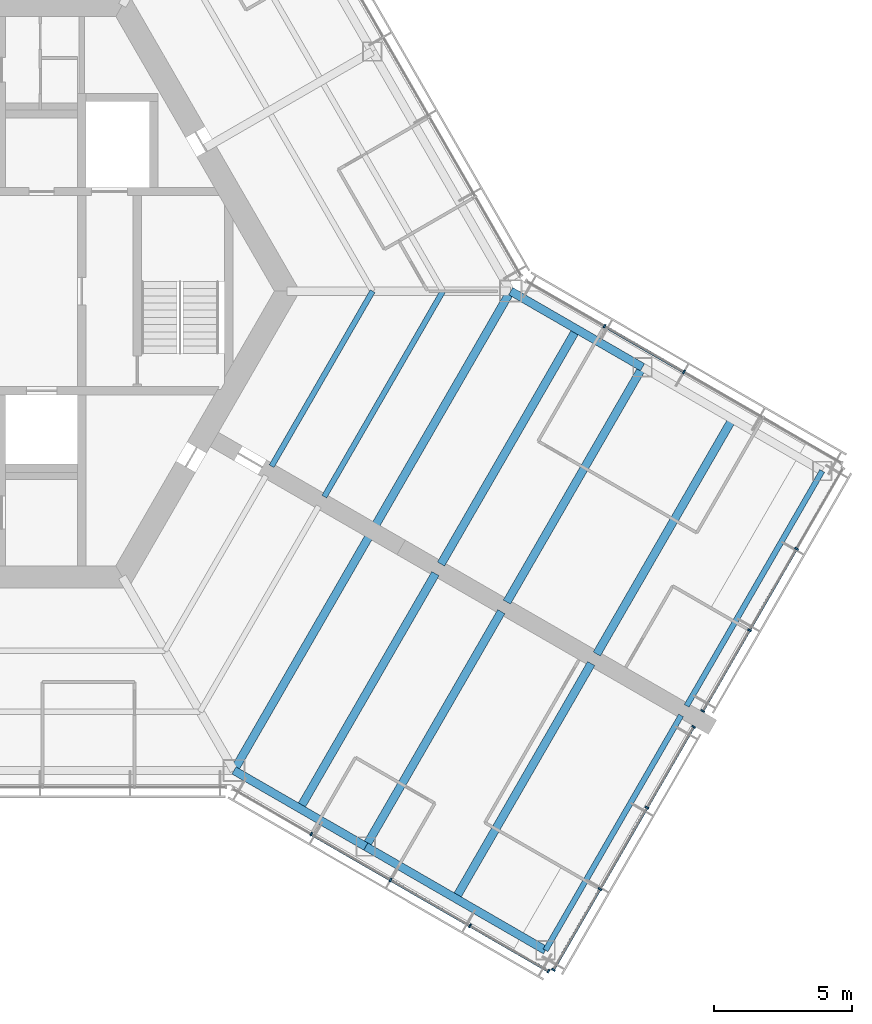
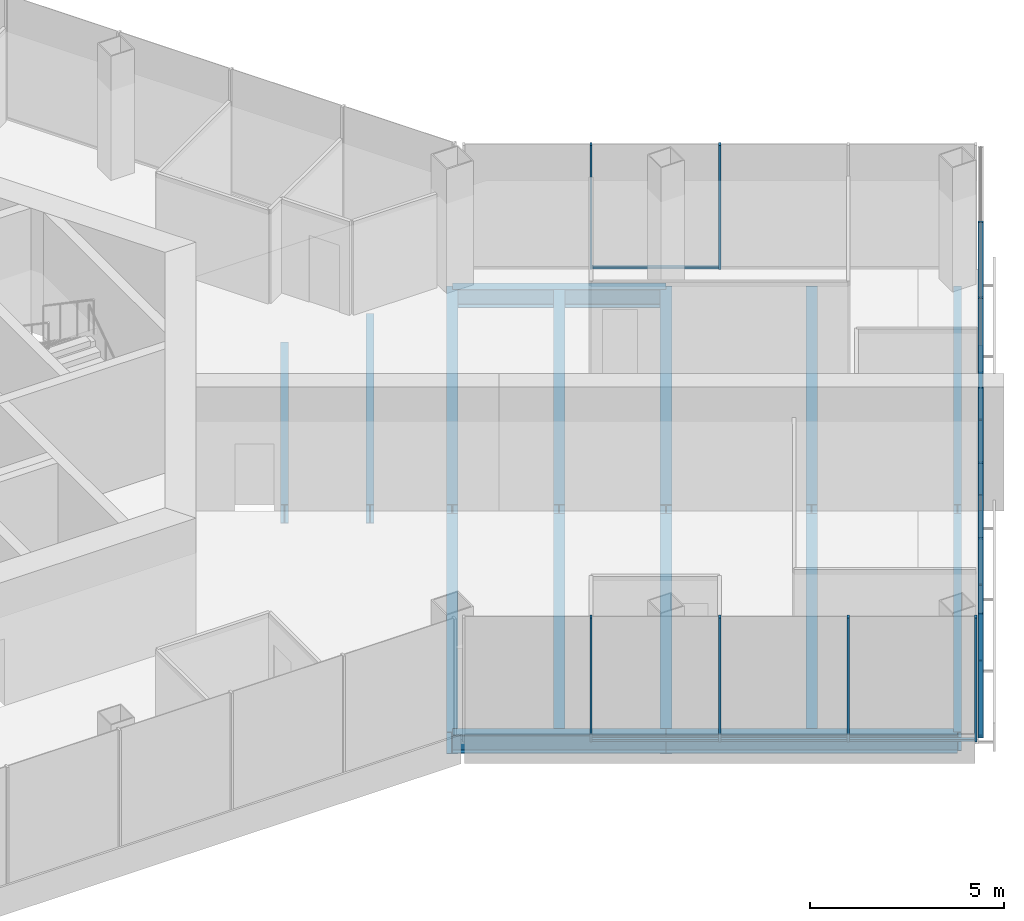
# One storey, part 4 of 16: 22 members, 15 beams, 4 elements without a shape of their own.
"""IFC4 building model written with IfcOpenShell, lengths in metres."""

from ifc_helpers import new_model, si_unit, direction, frame, origin, origin_2d, place, context, subcontext, project, spatial, rectangle, i_section, extrude, material, material_profile, profile_set, type_object, element, aggregate, save


model = new_model("IFC4")

# Units and contexts
model_context = context("Model", 3, precision=1e-05, world=origin(), true_north=direction((0.0, 1.0)))
body_context = subcontext(model_context, "Body", "Model", "MODEL_VIEW")
ifc_project = project(units=[si_unit("LENGTHUNIT", "METRE"), si_unit("AREAUNIT", "SQUARE_METRE"), si_unit("VOLUMEUNIT", "CUBIC_METRE"), si_unit("PLANEANGLEUNIT", "RADIAN"), si_unit("MASSUNIT", "GRAM", prefix="KILO")], contexts=[model_context])

# Site, building, storey
site_placement = place(None, origin())
site = spatial("IfcSite", under=ifc_project, at=site_placement, CompositionType="ELEMENT")
building_placement = place(site_placement, origin())
building = spatial("IfcBuilding", under=site, at=building_placement, Name="Kasaneha Research Tower", CompositionType="ELEMENT")
storey_placement = place(building_placement, frame((0.0, 0.0, 255.699951171875)))
storey = spatial("IfcBuildingStorey", under=building, at=storey_placement, Name="L64", CompositionType="ELEMENT", Elevation=255.699951171875)

# Beams
ifc_material_1 = material(Name="Steel SN490B", Category="steel")
ifc_material_profile_1 = material_profile(ifc_material_1, i_section(OverallWidth=0.199951171875, OverallDepth=0.60009765625, WebThickness=0.010986328125, FlangeThickness=0.01708984375, FilletRadius=0.012939453125, at=origin_2d()), Name="H-600x200x11x17")
ifc_profile_set_1 = profile_set([ifc_material_profile_1], Name="Steel SN490B")
beam_type_1 = type_object("IfcBeamType", Name="B1-3 secondary beam H-600x200x11x17", PredefinedType="JOIST", material=ifc_profile_set_1)
beam_1_placement = place(storey_placement, frame((15.010986328125, 0.0, -0.449951171875), z_axis=(-0.499974128195, -0.866040340363, 0.0), x_axis=(0.866040340363, -0.499974128195, 0.0)))
element("IfcBeam", 1, at=beam_1_placement, inside=storey, type_object=beam_type_1, Name="Secondary beam RS330R1 L64", PredefinedType="JOIST", context=body_context, shape_type="SweptSolid", body=[
    extrude(i_section(OverallWidth=0.199951171875, OverallDepth=0.60009765625, WebThickness=0.010986328125, FlangeThickness=0.01708984375, FilletRadius=0.012939453125, at=origin_2d()), origin(), (0.0, 0.0, 1.0), 7.3056640625),
])
beam_2_placement = place(storey_placement, frame((17.551513671875, 0.0, -0.449951171875), z_axis=(-0.500000102728, -0.866025344474, 0.0), x_axis=(0.866025344474, -0.500000102728, 0.0)))
element("IfcBeam", 2, at=beam_2_placement, inside=storey, type_object=beam_type_1, Name="Secondary beam RS330R2 L64", PredefinedType="JOIST", context=body_context, shape_type="SweptSolid", body=[
    extrude(i_section(OverallWidth=0.199951171875, OverallDepth=0.60009765625, WebThickness=0.010986328125, FlangeThickness=0.01708984375, FilletRadius=0.012939453125, at=origin_2d()), origin(), (0.0, 0.0, 1.0), 8.57568359375),
])
ifc_material_2 = material(Name="Steel SN490B", Category="steel")
ifc_material_profile_2 = material_profile(ifc_material_2, i_section(OverallWidth=0.300048828125, OverallDepth=0.58203125, WebThickness=0.011962890625, FlangeThickness=0.01708984375, FilletRadius=0.012939453125, at=origin_2d()), Name="H-582x300x12x17")
ifc_profile_set_2 = profile_set([ifc_material_profile_2], Name="Steel SN490B")
beam_type_2 = type_object("IfcBeamType", Name="B2-3 secondary beam H-582x300x12x17", PredefinedType="JOIST", material=ifc_profile_set_2)
for number, where, z_axis, x_axis, name in (
    (3, (12.381591796875, -18.695556640625, -0.44091796875), (0.49999201416, 0.866030014362, 0.0), (-0.866030014362, 0.49999201416, 0.0), "Secondary beam WBCP1 L64"),
    (4, (18.0107421875, -21.945556640625, -0.44091796875), (0.49999201416, 0.866030014362, 0.0), (-0.866030014362, 0.49999201416, 0.0), "Secondary beam WBCP2 L64"),
    (5, (22.381591796875, -1.375, -0.44091796875), (-0.49999201416, -0.866030014362, 0.0), (0.866030014362, -0.49999201416, 0.0), "Secondary beam WBCN1 L64"),
    (6, (28.0107421875, -4.625, -0.44091796875), (-0.49999201416, -0.866030014362, 0.0), (0.866030014362, -0.49999201416, 0.0), "Secondary beam WBCN2 L64"),
):
    element("IfcBeam", number, at=place(storey_placement, frame(where, z_axis=z_axis, x_axis=x_axis)), inside=storey, type_object=beam_type_2, Name=name, PredefinedType="JOIST", context=body_context, shape_type="SweptSolid", body=[
        extrude(i_section(OverallWidth=0.300048828125, OverallDepth=0.58203125, WebThickness=0.011962890625, FlangeThickness=0.01708984375, FilletRadius=0.012939453125, at=origin_2d()), origin(), (0.0, 0.0, 1.0), 9.800048828125),
    ])

# Curtain wall, members
ifc_material_3 = material(Name="Glass and aluminium", Category="aluminium")
curtain_wall_type = type_object("IfcCurtainWallType", Name="High-rise office curtain wall", PredefinedType="USERDEFINED", material=ifc_material_3)
curtain_wall_1_placement = place(storey_placement, origin())
curtain_wall_1 = element("IfcCurtainWall", 7, at=curtain_wall_1_placement, inside=storey, type_object=curtain_wall_type, Name="CW-O3 L64 run 06a", ObjectType="UNITISED CURTAIN WALL", PredefinedType="USERDEFINED")
ifc_material_4 = material(Name="Aluminium 6063-T6", Category="aluminium")
ifc_material_profile_3 = material_profile(ifc_material_4, rectangle(XDim=0.06005859375, YDim=0.139892578125, at=origin_2d()), Name="CW-O3 mullion 60x140")
ifc_profile_set_3 = profile_set([ifc_material_profile_3], Name="Aluminium 6063-T6")
member_type_1 = type_object("IfcMemberType", Name="CW-O3 mullion", PredefinedType="MULLION", material=ifc_profile_set_3)
member_1_placement = place(storey_placement, frame((12.792236328125, -19.62548828125, 0.0), z_axis=(0.0, 0.0, 1.0), x_axis=(0.866025411464, -0.499999986699, 0.0)))
member_1 = element("IfcMember", 8, at=member_1_placement, type_object=member_type_1, Name="CW-O3 mullion 2", PredefinedType="MULLION", context=body_context, shape_type="SweptSolid", body=[
    extrude(rectangle(XDim=0.06005859375, YDim=0.139892578125, at=origin_2d()), origin(), (0.0, 0.0, 1.0), 3.900146484375),
])
member_2_placement = place(storey_placement, frame((15.65869140625, -21.2802734375, 0.0), z_axis=(0.0, 0.0, 1.0), x_axis=(0.866025411464, -0.499999986699, 0.0)))
member_2 = element("IfcMember", 9, at=member_2_placement, type_object=member_type_1, Name="CW-O3 mullion 3", PredefinedType="MULLION", context=body_context, shape_type="SweptSolid", body=[
    extrude(rectangle(XDim=0.06005859375, YDim=0.139892578125, at=origin_2d()), origin(), (0.0, 0.0, 1.0), 3.900146484375),
])
member_3_placement = place(storey_placement, frame((18.52490234375, -22.935302734375, 0.0), z_axis=(0.0, 0.0, 1.0), x_axis=(0.866025411464, -0.499999986699, 0.0)))
member_3 = element("IfcMember", 10, at=member_3_placement, type_object=member_type_1, Name="CW-O3 mullion 4", PredefinedType="MULLION", context=body_context, shape_type="SweptSolid", body=[
    extrude(rectangle(XDim=0.06005859375, YDim=0.139892578125, at=origin_2d()), origin(), (0.0, 0.0, 1.0), 3.900146484375),
])
member_4_placement = place(storey_placement, frame((21.365478515625, -24.5751953125, 0.0), z_axis=(0.0, 0.0, 1.0), x_axis=(0.866025411464, -0.499999986699, 0.0)))
member_4 = element("IfcMember", 11, at=member_4_placement, type_object=member_type_1, Name="CW-O3 mullion 5", PredefinedType="MULLION", context=body_context, shape_type="SweptSolid", body=[
    extrude(rectangle(XDim=0.06005859375, YDim=0.139892578125, at=origin_2d()), origin(), (0.0, 0.0, 1.0), 3.900146484375),
])

curtain_wall_2_placement = place(storey_placement, origin())
curtain_wall_2 = element("IfcCurtainWall", 12, at=curtain_wall_2_placement, inside=storey, type_object=curtain_wall_type, Name="CW-O3 L64 run 07a", ObjectType="UNITISED CURTAIN WALL", PredefinedType="USERDEFINED")
member_5_placement = place(storey_placement, frame((21.54296875, -24.527587890625, 0.0), z_axis=(0.0, 0.0, 1.0), x_axis=(0.500000011442, 0.866025397178, 0.0)))
member_5 = element("IfcMember", 13, at=member_5_placement, type_object=member_type_1, Name="CW-O3 mullion 1", PredefinedType="MULLION", context=body_context, shape_type="SweptSolid", body=[
    extrude(rectangle(XDim=0.06005859375, YDim=0.139892578125, at=origin_2d()), origin(), (0.0, 0.0, 1.0), 3.900146484375),
])
member_6_placement = place(storey_placement, frame((23.22802734375, -21.609130859375, 0.0), z_axis=(0.0, 0.0, 1.0), x_axis=(0.500000011442, 0.866025397178, 0.0)))
member_6 = element("IfcMember", 14, at=member_6_placement, type_object=member_type_1, Name="CW-O3 mullion 2", PredefinedType="MULLION", context=body_context, shape_type="SweptSolid", body=[
    extrude(rectangle(XDim=0.06005859375, YDim=0.139892578125, at=origin_2d()), origin(), (0.0, 0.0, 1.0), 3.900146484375),
])
member_7_placement = place(storey_placement, frame((24.927978515625, -18.66455078125, 0.0), z_axis=(0.0, 0.0, 1.0), x_axis=(0.500000011442, 0.866025397178, 0.0)))
member_7 = element("IfcMember", 15, at=member_7_placement, type_object=member_type_1, Name="CW-O3 mullion 3", PredefinedType="MULLION", context=body_context, shape_type="SweptSolid", body=[
    extrude(rectangle(XDim=0.06005859375, YDim=0.139892578125, at=origin_2d()), origin(), (0.0, 0.0, 1.0), 3.900146484375),
])
member_8_placement = place(storey_placement, frame((26.613037109375, -15.74609375, 0.0), z_axis=(0.0, 0.0, 1.0), x_axis=(0.500000011442, 0.866025397178, 0.0)))
member_8 = element("IfcMember", 16, at=member_8_placement, type_object=member_type_1, Name="CW-O3 mullion 4", PredefinedType="MULLION", context=body_context, shape_type="SweptSolid", body=[
    extrude(rectangle(XDim=0.06005859375, YDim=0.139892578125, at=origin_2d()), origin(), (0.0, 0.0, 1.0), 3.900146484375),
])

curtain_wall_3_placement = place(storey_placement, origin())
curtain_wall_3 = element("IfcCurtainWall", 17, at=curtain_wall_3_placement, inside=storey, type_object=curtain_wall_type, Name="CW-O3 L64 run 08a", ObjectType="UNITISED CURTAIN WALL", PredefinedType="USERDEFINED")
member_9_placement = place(storey_placement, frame((26.94287109375, -15.174560546875, 0.0), z_axis=(0.0, 0.0, 1.0), x_axis=(0.500000011442, 0.866025397178, 0.0)))
member_9 = element("IfcMember", 18, at=member_9_placement, type_object=member_type_1, Name="CW-O3 mullion 1", PredefinedType="MULLION", context=body_context, shape_type="SweptSolid", body=[
    extrude(rectangle(XDim=0.06005859375, YDim=0.139892578125, at=origin_2d()), origin(), (0.0, 0.0, 1.0), 3.900146484375),
])
member_10_placement = place(storey_placement, frame((28.6279296875, -12.255859375, 0.0), z_axis=(0.0, 0.0, 1.0), x_axis=(0.500000011442, 0.866025397178, 0.0)))
member_10 = element("IfcMember", 19, at=member_10_placement, type_object=member_type_1, Name="CW-O3 mullion 2", PredefinedType="MULLION", context=body_context, shape_type="SweptSolid", body=[
    extrude(rectangle(XDim=0.06005859375, YDim=0.139892578125, at=origin_2d()), origin(), (0.0, 0.0, 1.0), 3.900146484375),
])
member_11_placement = place(storey_placement, frame((30.327880859375, -9.3115234375, 0.0), z_axis=(0.0, 0.0, 1.0), x_axis=(0.500000011442, 0.866025397178, 0.0)))
member_11 = element("IfcMember", 20, at=member_11_placement, type_object=member_type_1, Name="CW-O3 mullion 3", PredefinedType="MULLION", context=body_context, shape_type="SweptSolid", body=[
    extrude(rectangle(XDim=0.06005859375, YDim=0.139892578125, at=origin_2d()), origin(), (0.0, 0.0, 1.0), 3.900146484375),
])

curtain_wall_4_placement = place(storey_placement, origin())
curtain_wall_4 = element("IfcCurtainWall", 21, at=curtain_wall_4_placement, inside=storey, type_object=curtain_wall_type, Name="CW-O3 L64 run 09a", ObjectType="UNITISED CURTAIN WALL", PredefinedType="USERDEFINED")
member_12_placement = place(storey_placement, frame((26.258544921875, -2.920654296875, 0.0), z_axis=(0.0, 0.0, 1.0), x_axis=(-0.866025411464, 0.499999986699, 0.0)))
member_12 = element("IfcMember", 22, at=member_12_placement, type_object=member_type_1, Name="CW-O3 mullion 3", PredefinedType="MULLION", context=body_context, shape_type="SweptSolid", body=[
    extrude(rectangle(XDim=0.06005859375, YDim=0.139892578125, at=origin_2d()), origin(), (0.0, 0.0, 1.0), 3.900146484375),
])
member_13_placement = place(storey_placement, frame((23.39208984375, -1.265625, 0.0), z_axis=(0.0, 0.0, 1.0), x_axis=(-0.866025411464, 0.499999986699, 0.0)))
member_13 = element("IfcMember", 23, at=member_13_placement, type_object=member_type_1, Name="CW-O3 mullion 4", PredefinedType="MULLION", context=body_context, shape_type="SweptSolid", body=[
    extrude(rectangle(XDim=0.06005859375, YDim=0.139892578125, at=origin_2d()), origin(), (0.0, 0.0, 1.0), 3.900146484375),
])

# Member
ifc_material_5 = material(Name="Aluminium 6063-T6", Category="aluminium")
ifc_material_profile_4 = material_profile(ifc_material_5, rectangle(XDim=0.10009765625, YDim=0.06005859375, at=origin_2d()), Name="CW-O3 transom 100x60")
ifc_profile_set_4 = profile_set([ifc_material_profile_4], Name="Aluminium 6063-T6")
member_type_2 = type_object("IfcMemberType", Name="CW-O3 transom", PredefinedType="USERDEFINED", material=ifc_profile_set_4)
member_14_placement = place(storey_placement, frame((12.818115234375, -19.640380859375, 0.030029296875), z_axis=(0.866015446554, -0.500017246033, 0.0), x_axis=(0.500017246033, 0.866015446554, 0.0)))
member_14 = element("IfcMember", 24, at=member_14_placement, type_object=member_type_2, Name="CW-O3 transom 2", ObjectType="TRANSOM", PredefinedType="USERDEFINED", context=body_context, shape_type="SweptSolid", body=[
    extrude(rectangle(XDim=0.10009765625, YDim=0.06005859375, at=origin_2d()), origin(), (0.0, 0.0, 1.0), 3.25),
])

member_15_placement = place(storey_placement, frame((15.6845703125, -21.29541015625, 0.030029296875), z_axis=(0.86604797581, -0.499960902066, 0.0), x_axis=(0.499960902066, 0.86604797581, 0.0)))
member_15 = element("IfcMember", 25, at=member_15_placement, type_object=member_type_2, Name="CW-O3 transom 3", ObjectType="TRANSOM", PredefinedType="USERDEFINED", context=body_context, shape_type="SweptSolid", body=[
    extrude(rectangle(XDim=0.10009765625, YDim=0.06005859375, at=origin_2d()), origin(), (0.0, 0.0, 1.0), 3.249755859375),
])

member_16_placement = place(storey_placement, frame((18.551025390625, -22.9501953125, 0.030029296875), z_axis=(0.866022692473, -0.500004696101, 0.0), x_axis=(0.500004696101, 0.866022692473, 0.0)))
member_16 = element("IfcMember", 26, at=member_16_placement, type_object=member_type_2, Name="CW-O3 transom 4", ObjectType="TRANSOM", PredefinedType="USERDEFINED", context=body_context, shape_type="SweptSolid", body=[
    extrude(rectangle(XDim=0.10009765625, YDim=0.06005859375, at=origin_2d()), origin(), (0.0, 0.0, 1.0), 3.2197265625),
])

aggregate(curtain_wall_1, [member_1, member_2, member_3, member_4, member_14, member_15, member_16])

member_17_placement = place(storey_placement, frame((21.557861328125, -24.50146484375, 0.030029296875), z_axis=(0.500018282537, 0.866014848099, 0.0), x_axis=(-0.866014848099, 0.500018282537, 0.0)))
member_17 = element("IfcMember", 27, at=member_17_placement, type_object=member_type_2, Name="CW-O3 transom 1", ObjectType="TRANSOM", PredefinedType="USERDEFINED", context=body_context, shape_type="SweptSolid", body=[
    extrude(rectangle(XDim=0.10009765625, YDim=0.06005859375, at=origin_2d()), origin(), (0.0, 0.0, 1.0), 3.31005859375),
])

member_18_placement = place(storey_placement, frame((23.242919921875, -21.5830078125, 0.030029296875), z_axis=(0.499975549825, 0.866039519639, 0.0), x_axis=(-0.866039519639, 0.499975549825, 0.0)))
member_18 = element("IfcMember", 28, at=member_18_placement, type_object=member_type_2, Name="CW-O3 transom 2", ObjectType="TRANSOM", PredefinedType="USERDEFINED", context=body_context, shape_type="SweptSolid", body=[
    extrude(rectangle(XDim=0.10009765625, YDim=0.06005859375, at=origin_2d()), origin(), (0.0, 0.0, 1.0), 3.340087890625),
])

member_19_placement = place(storey_placement, frame((24.94287109375, -18.638671875, 0.030029296875), z_axis=(0.49998634449, 0.866033287653, 0.0), x_axis=(-0.866033287653, 0.49998634449, 0.0)))
member_19 = element("IfcMember", 29, at=member_19_placement, type_object=member_type_2, Name="CW-O3 transom 3", ObjectType="TRANSOM", PredefinedType="USERDEFINED", context=body_context, shape_type="SweptSolid", body=[
    extrude(rectangle(XDim=0.10009765625, YDim=0.06005859375, at=origin_2d()), origin(), (0.0, 0.0, 1.0), 3.31005859375),
])

aggregate(curtain_wall_2, [member_5, member_6, member_7, member_8, member_17, member_18, member_19])

member_20_placement = place(storey_placement, frame((26.9580078125, -15.1484375, 0.030029296875), z_axis=(0.500018282537, 0.866014848099, 0.0), x_axis=(-0.866014848099, 0.500018282537, 0.0)))
member_20 = element("IfcMember", 30, at=member_20_placement, type_object=member_type_2, Name="CW-O3 transom 1", ObjectType="TRANSOM", PredefinedType="USERDEFINED", context=body_context, shape_type="SweptSolid", body=[
    extrude(rectangle(XDim=0.10009765625, YDim=0.06005859375, at=origin_2d()), origin(), (0.0, 0.0, 1.0), 3.31005859375),
])

member_21_placement = place(storey_placement, frame((28.64306640625, -12.22998046875, 0.030029296875), z_axis=(0.499975549825, 0.866039519639, 0.0), x_axis=(-0.866039519639, 0.499975549825, 0.0)))
member_21 = element("IfcMember", 31, at=member_21_placement, type_object=member_type_2, Name="CW-O3 transom 2", ObjectType="TRANSOM", PredefinedType="USERDEFINED", context=body_context, shape_type="SweptSolid", body=[
    extrude(rectangle(XDim=0.10009765625, YDim=0.06005859375, at=origin_2d()), origin(), (0.0, 0.0, 1.0), 3.340087890625),
])

aggregate(curtain_wall_3, [member_9, member_10, member_11, member_20, member_21])

member_22_placement = place(storey_placement, frame((26.232666015625, -2.905517578125, 0.030029296875), z_axis=(-0.86604797581, 0.499960902066, 0.0), x_axis=(-0.499960902066, -0.86604797581, 0.0)))
member_22 = element("IfcMember", 32, at=member_22_placement, type_object=member_type_2, Name="CW-O3 transom 3", ObjectType="TRANSOM", PredefinedType="USERDEFINED", context=body_context, shape_type="SweptSolid", body=[
    extrude(rectangle(XDim=0.10009765625, YDim=0.06005859375, at=origin_2d()), origin(), (0.0, 0.0, 1.0), 3.249755859375),
])

aggregate(curtain_wall_4, [member_12, member_13, member_22])

# Beams
ifc_material_6 = material(Name="Steel SN490B", Category="steel")
ifc_material_profile_5 = material_profile(ifc_material_6, i_section(OverallWidth=0.300048828125, OverallDepth=0.69189453125, WebThickness=0.012939453125, FlangeThickness=0.02001953125, FilletRadius=0.01806640625, at=origin_2d()), Name="H-692x300x13x20")
ifc_profile_set_5 = profile_set([ifc_material_profile_5], Name="Steel SN490B")
beam_type_3 = type_object("IfcBeamType", Name="G3-3 plate edge girder H-692x300x13x20", PredefinedType="BEAM", material=ifc_profile_set_5)
for number, where, z_axis, x_axis, name in (
    (33, (10.0, -17.320556640625, -0.495849609375), (0.49999201416, 0.866030014362, 0.0), (-0.866030014362, 0.49999201416, 0.0), "Plate edge girder PECP L64"),
    (34, (20.0, 0.0, -0.495849609375), (-0.49999201416, -0.866030014362, 0.0), (0.866030014362, -0.49999201416, 0.0), "Plate edge girder PECN L64"),
):
    element("IfcBeam", number, at=place(storey_placement, frame(where, z_axis=z_axis, x_axis=x_axis)), inside=storey, type_object=beam_type_3, Name=name, PredefinedType="BEAM", context=body_context, shape_type="SweptSolid", body=[
        extrude(i_section(OverallWidth=0.300048828125, OverallDepth=0.69189453125, WebThickness=0.012939453125, FlangeThickness=0.02001953125, FilletRadius=0.01806640625, at=origin_2d()), origin(), (0.0, 0.0, 1.0), 9.800048828125),
    ])
ifc_material_7 = material(Name="Steel SN490B", Category="steel")
ifc_material_profile_6 = material_profile(ifc_material_7, i_section(OverallWidth=0.300048828125, OverallDepth=0.699951171875, WebThickness=0.012939453125, FlangeThickness=0.02392578125, FilletRadius=0.01806640625, at=origin_2d()), Name="H-700x300x13x24")
ifc_profile_set_6 = profile_set([ifc_material_profile_6], Name="Steel SN490B")
beam_type_4 = type_object("IfcBeamType", Name="G4-3 wing girder H-700x300x13x24", PredefinedType="BEAM", material=ifc_profile_set_6)
for number, where, z_axis, x_axis, name in (
    (35, (14.76318359375, -20.070556640625, -0.5), (0.49999201416, 0.866030014362, 0.0), (-0.866030014362, 0.49999201416, 0.0), "Wing girder WGCP L64"),
    (36, (24.76318359375, -2.75, -0.5), (-0.500010698315, -0.866019227021, 0.0), (0.866019227021, -0.500010698315, 0.0), "Wing girder WGCN L64"),
):
    element("IfcBeam", number, at=place(storey_placement, frame(where, z_axis=z_axis, x_axis=x_axis)), inside=storey, type_object=beam_type_4, Name=name, PredefinedType="BEAM", context=body_context, shape_type="SweptSolid", body=[
        extrude(i_section(OverallWidth=0.300048828125, OverallDepth=0.699951171875, WebThickness=0.012939453125, FlangeThickness=0.02392578125, FilletRadius=0.01806640625, at=origin_2d()), origin(), (0.0, 0.0, 1.0), 9.800048828125),
    ])
ifc_material_8 = material(Name="Steel SN490B", Category="steel")
ifc_material_profile_7 = material_profile(ifc_material_8, i_section(OverallWidth=0.300048828125, OverallDepth=0.58203125, WebThickness=0.011962890625, FlangeThickness=0.01708984375, FilletRadius=0.012939453125, at=origin_2d()), Name="H-582x300x12x17")
ifc_profile_set_7 = profile_set([ifc_material_profile_7], Name="Steel SN490B")
beam_type_5 = type_object("IfcBeamType", Name="SB2-3 spandrel beam H-582x300x12x17", PredefinedType="SPANDREL", material=ifc_profile_set_7)
beam_3_placement = place(storey_placement, frame((10.0, -17.320556640625, -0.44091796875), z_axis=(0.866027397988, -0.499996545922, 0.0), x_axis=(0.499996545922, 0.866027397988, 0.0)))
element("IfcBeam", 37, at=beam_3_placement, inside=storey, type_object=beam_type_5, Name="Spandrel beam WSCP1 L64", PredefinedType="SPANDREL", context=body_context, shape_type="SweptSolid", body=[
    extrude(i_section(OverallWidth=0.300048828125, OverallDepth=0.58203125, WebThickness=0.011962890625, FlangeThickness=0.01708984375, FilletRadius=0.012939453125, at=origin_2d()), origin(), (0.0, 0.0, 1.0), 5.5),
])
beam_4_placement = place(storey_placement, frame((14.76318359375, -20.070556640625, -0.44091796875), z_axis=(0.866022959057, -0.500004234368, 0.0), x_axis=(0.500004234368, 0.866022959057, 0.0)))
element("IfcBeam", 38, at=beam_4_placement, inside=storey, type_object=beam_type_5, Name="Spandrel beam WSCP2 L64", PredefinedType="SPANDREL", context=body_context, shape_type="SweptSolid", body=[
    extrude(i_section(OverallWidth=0.300048828125, OverallDepth=0.58203125, WebThickness=0.011962890625, FlangeThickness=0.01708984375, FilletRadius=0.012939453125, at=origin_2d()), origin(), (0.0, 0.0, 1.0), 7.5),
])
beam_5_placement = place(storey_placement, frame((20.0, 0.0, -0.44091796875), z_axis=(0.866027397988, -0.499996545922, 0.0), x_axis=(0.499996545922, 0.866027397988, 0.0)))
element("IfcBeam", 39, at=beam_5_placement, inside=storey, type_object=beam_type_5, Name="Spandrel beam WSCN1 L64", PredefinedType="SPANDREL", context=body_context, shape_type="SweptSolid", body=[
    extrude(i_section(OverallWidth=0.300048828125, OverallDepth=0.58203125, WebThickness=0.011962890625, FlangeThickness=0.01708984375, FilletRadius=0.012939453125, at=origin_2d()), origin(), (0.0, 0.0, 1.0), 5.5),
])
ifc_material_9 = material(Name="Steel SN490B", Category="steel")
ifc_material_profile_8 = material_profile(ifc_material_9, i_section(OverallWidth=0.199951171875, OverallDepth=0.60009765625, WebThickness=0.010986328125, FlangeThickness=0.01708984375, FilletRadius=0.012939453125, at=origin_2d()), Name="H-600x200x11x17")
ifc_profile_set_8 = profile_set([ifc_material_profile_8], Name="Steel SN490B")
beam_type_6 = type_object("IfcBeamType", Name="SB3-3 spandrel beam H-600x200x11x17", PredefinedType="SPANDREL", material=ifc_profile_set_8)
for number, where, z_axis, x_axis, name in (
    (40, (21.25830078125, -23.820556640625, -0.449951171875), (0.500010698315, 0.866019227021, 0.0), (-0.866019227021, 0.500010698315, 0.0), "Spandrel beam WTCP L64"),
    (41, (31.25830078125, -6.5, -0.449951171875), (-0.49999201416, -0.866030014362, 0.0), (0.866030014362, -0.49999201416, 0.0), "Spandrel beam WTCN L64"),
):
    element("IfcBeam", number, at=place(storey_placement, frame(where, z_axis=z_axis, x_axis=x_axis)), inside=storey, type_object=beam_type_6, Name=name, PredefinedType="SPANDREL", context=body_context, shape_type="SweptSolid", body=[
        extrude(i_section(OverallWidth=0.199951171875, OverallDepth=0.60009765625, WebThickness=0.010986328125, FlangeThickness=0.01708984375, FilletRadius=0.012939453125, at=origin_2d()), origin(), (0.0, 0.0, 1.0), 9.800048828125),
    ])

save(model, "model.ifc")
